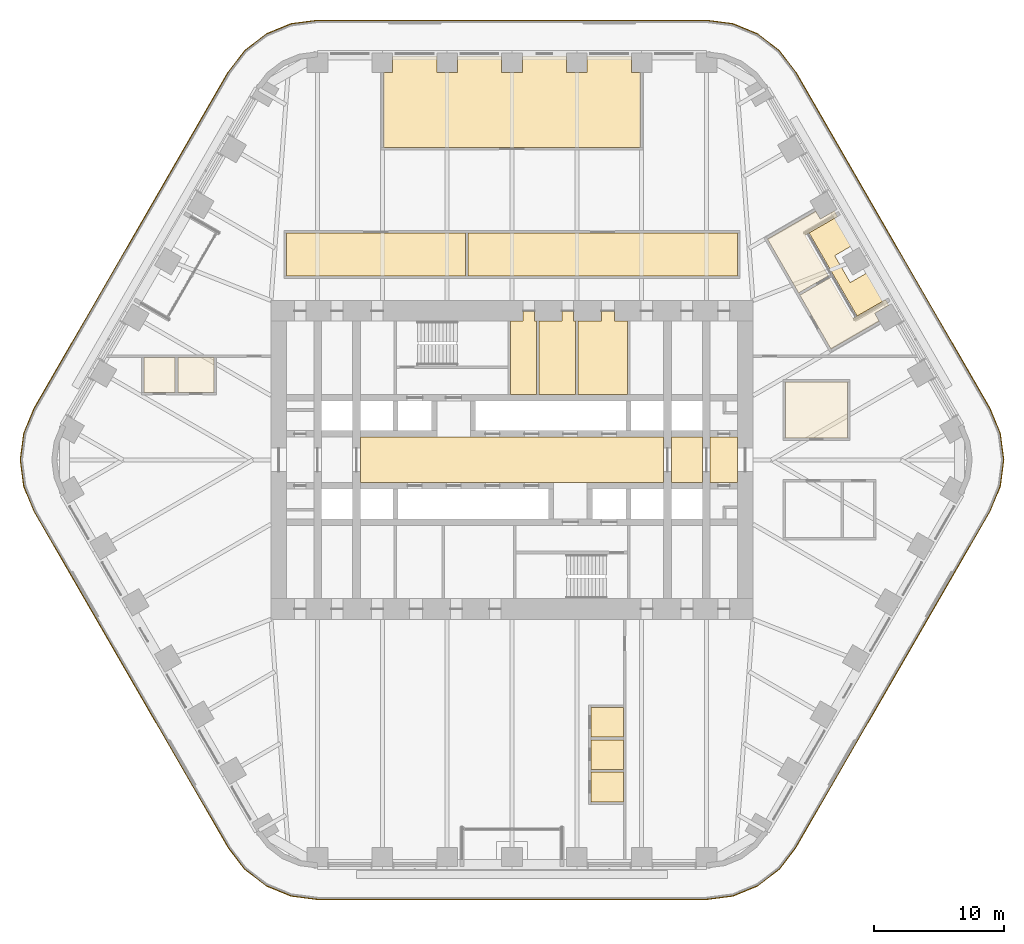
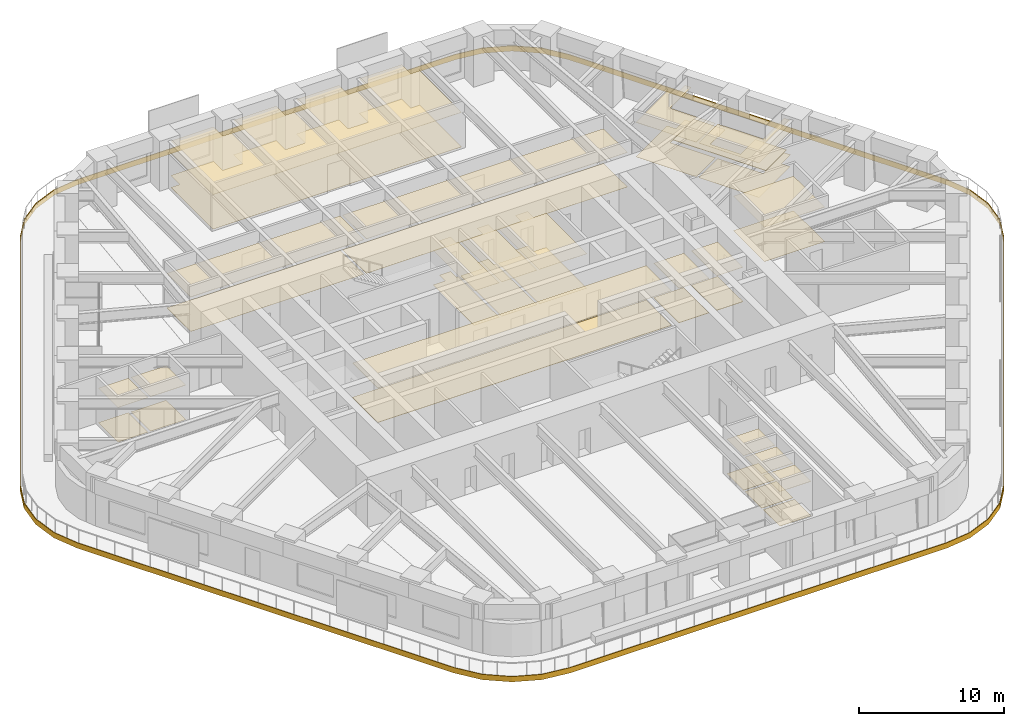
# One storey, part 23 of 24: 16 coverings.
"""IFC4 building model written with IfcOpenShell, lengths in metres."""

from ifc_helpers import new_model, si_unit, direction, frame, origin, place, context, subcontext, project, spatial, polyline, outline, extrude, material, layer, layer_set, type_object, element, save


model = new_model("IFC4")

# Units and contexts
model_context = context("Model", 3, precision=1e-05, world=origin(), true_north=direction((0.0, 1.0)))
body_context = subcontext(model_context, "Body", "Model", "MODEL_VIEW")
ifc_project = project(units=[si_unit("LENGTHUNIT", "METRE"), si_unit("AREAUNIT", "SQUARE_METRE"), si_unit("VOLUMEUNIT", "CUBIC_METRE"), si_unit("PLANEANGLEUNIT", "RADIAN"), si_unit("MASSUNIT", "GRAM", prefix="KILO")], contexts=[model_context])

# Site, building, storey
site_placement = place(None, origin())
site = spatial("IfcSite", under=ifc_project, at=site_placement, CompositionType="ELEMENT")
building_placement = place(site_placement, origin())
building = spatial("IfcBuilding", under=site, at=building_placement, Name="Tarfa Lantern Tower", CompositionType="ELEMENT")
storey_placement = place(building_placement, frame((0.0, 0.0, 144.699951171875)))
storey = spatial("IfcBuildingStorey", under=building, at=storey_placement, Name="L32", CompositionType="ELEMENT", Elevation=144.699951171875)

# Coverings
ifc_material_1 = material(Name="Mineral fibre acoustic tile on suspension grid", Category="finish")
ifc_layer_1 = layer(ifc_material_1, 0.02001953125)
ifc_layer_set_1 = layer_set([ifc_layer_1], Name="CL1 ACOUSTIC TILE CEILING 20")
covering_type_1 = type_object("IfcCoveringType", Name="CL1 ACOUSTIC TILE CEILING 20", PredefinedType="CEILING", material=ifc_layer_set_1)
covering_1_placement = place(storey_placement, frame((0.0, 0.0, 2.900146484375)))
element("IfcCovering", 1, at=covering_1_placement, inside=storey, type_object=covering_type_1, Name="Ceiling L32 CL1", PredefinedType="CEILING", context=body_context, shape_type="SweptSolid", body=[
    extrude(outline(polyline([(-17.39990234375, 17.5), (-3.60009765625, 17.5), (-3.60009765625, 14.199951171875), (-17.39990234375, 14.199951171875), (-17.39990234375, 17.5)])), origin(), (0.0, 0.0, 1.0), 0.02001953125),
    extrude(outline(polyline([(-3.39990234375, 17.5), (17.39990234375, 17.5), (17.39990234375, 14.199951171875), (-3.39990234375, 14.199951171875), (-3.39990234375, 17.5)])), origin(), (0.0, 0.0, 1.0), 0.02001953125),
    extrude(outline(polyline([(9.907470703125, 24.10009765625), (-9.907470703125, 24.10009765625), (-9.907470703125, 29.89990234375), (-9.20751953125, 29.89990234375), (-9.20751953125, 31.14990234375), (-5.8037109375, 31.14990234375), (-5.8037109375, 29.89990234375), (-4.20361328125, 29.89990234375), (-4.20361328125, 31.14990234375), (-0.800048828125, 31.14990234375), (-0.800048828125, 29.89990234375), (0.800048828125, 29.89990234375), (0.800048828125, 31.14990234375), (4.20361328125, 31.14990234375), (4.20361328125, 29.89990234375), (5.8037109375, 29.89990234375), (5.8037109375, 31.14990234375), (9.20751953125, 31.14990234375), (9.20751953125, 29.89990234375), (9.907470703125, 29.89990234375), (9.907470703125, 24.10009765625)])), origin(), (0.0, 0.0, 1.0), 0.02001953125),
    extrude(outline(polyline([(24.6220703125, 8.55322265625), (22.22021484375, 12.71337890625), (24.51513671875, 14.038330078125), (26.317138671875, 10.91748046875), (28.82861328125, 12.367431640625), (29.07861328125, 11.9345703125), (27.99609375, 11.3095703125), (28.345947265625, 10.703369140625), (24.6220703125, 8.55322265625)])), origin(), (0.0, 0.0, 1.0), 0.02001953125),
    extrude(outline(polyline([(19.718505859375, 17.046630859375), (23.4423828125, 19.19677734375), (23.792236328125, 18.590576171875), (24.874755859375, 19.215576171875), (25.124755859375, 18.782470703125), (22.61328125, 17.33251953125), (24.415283203125, 14.211669921875), (22.120361328125, 12.88671875), (19.718505859375, 17.046630859375)])), origin(), (0.0, 0.0, 1.0), 0.02001953125),
    extrude(outline(polyline([(-25.795166015625, 5.199951171875), (-25.795166015625, 7.89990234375), (-22.9951171875, 7.89990234375), (-22.9951171875, 5.199951171875), (-25.795166015625, 5.199951171875)])), origin(), (0.0, 0.0, 1.0), 0.02001953125),
    extrude(outline(polyline([(-28.39501953125, 5.199951171875), (-28.39501953125, 7.89990234375), (-25.9951171875, 7.89990234375), (-25.9951171875, 5.199951171875), (-28.39501953125, 5.199951171875)])), origin(), (0.0, 0.0, 1.0), 0.02001953125),
    extrude(outline(polyline([(6.10009765625, -21.39990234375), (6.10009765625, -19.10009765625), (8.60009765625, -19.10009765625), (8.60009765625, -21.39990234375), (6.10009765625, -21.39990234375)])), origin(), (0.0, 0.0, 1.0), 0.02001953125),
    extrude(outline(polyline([(6.10009765625, -23.89990234375), (6.10009765625, -21.60009765625), (8.60009765625, -21.60009765625), (8.60009765625, -23.89990234375), (6.10009765625, -23.89990234375)])), origin(), (0.0, 0.0, 1.0), 0.02001953125),
    extrude(outline(polyline([(6.10009765625, -26.39990234375), (6.10009765625, -24.10009765625), (8.60009765625, -24.10009765625), (8.60009765625, -26.39990234375), (6.10009765625, -26.39990234375)])), origin(), (0.0, 0.0, 1.0), 0.02001953125),
    extrude(outline(polyline([(21.10009765625, 6.0), (25.89990234375, 6.0), (25.89990234375, 1.699951171875), (21.10009765625, 1.699951171875), (21.10009765625, 6.0)])), origin(), (0.0, 0.0, 1.0), 0.02001953125),
])
ifc_material_2 = material(Name="Moisture-resistant plasterboard", Category="finish")
ifc_layer_2 = layer(ifc_material_2, 0.014892578125)
ifc_layer_set_2 = layer_set([ifc_layer_2], Name="CL2 MOISTURE-RESISTANT PLASTERBOARD CEILING 15")
covering_type_2 = type_object("IfcCoveringType", Name="CL2 MOISTURE-RESISTANT PLASTERBOARD CEILING 15", PredefinedType="CEILING", material=ifc_layer_set_2)
covering_2_placement = place(storey_placement, frame((0.0, 0.0, 2.900146484375)))
element("IfcCovering", 2, at=covering_2_placement, inside=storey, type_object=covering_type_2, Name="Ceiling L32-09", PredefinedType="CEILING", context=body_context, shape_type="SweptSolid", body=[
    extrude(outline(polyline([(0.85009765625, 10.699951171875), (-0.10009765625, 10.699951171875), (-0.10009765625, 5.050048828125), (1.89990234375, 5.050048828125), (1.89990234375, 10.699951171875), (1.75, 10.699951171875), (1.75, 11.5), (1.75, 11.5), (0.85009765625, 11.5), (0.85009765625, 10.699951171875)])), origin(), (0.0, 0.0, 1.0), 0.014892578125),
])
covering_3_placement = place(storey_placement, frame((0.0, 0.0, 2.900146484375)))
element("IfcCovering", 3, at=covering_3_placement, inside=storey, type_object=covering_type_2, Name="Ceiling L32-10", PredefinedType="CEILING", context=body_context, shape_type="SweptSolid", body=[
    extrude(outline(polyline([(2.10009765625, 5.050048828125), (4.89990234375, 5.050048828125), (4.89990234375, 10.699951171875), (4.75, 10.699951171875), (4.75, 11.5), (3.85009765625, 11.5), (3.85009765625, 10.699951171875), (2.10009765625, 10.699951171875), (2.10009765625, 5.050048828125)])), origin(), (0.0, 0.0, 1.0), 0.014892578125),
])
covering_4_placement = place(storey_placement, frame((0.0, 0.0, 2.900146484375)))
element("IfcCovering", 4, at=covering_4_placement, inside=storey, type_object=covering_type_2, Name="Ceiling L32-11", PredefinedType="CEILING", context=body_context, shape_type="SweptSolid", body=[
    extrude(outline(polyline([(5.10009765625, 5.050048828125), (8.89990234375, 5.050048828125), (8.89990234375, 10.699951171875), (7.89990234375, 10.699951171875), (7.89990234375, 11.5), (6.89990234375, 11.5), (6.89990234375, 10.699951171875), (5.10009765625, 10.699951171875), (5.10009765625, 5.050048828125)])), origin(), (0.0, 0.0, 1.0), 0.014892578125),
])
ifc_material_3 = material(Name="Powder-coated aluminium panel", Category="aluminium")
ifc_layer_3 = layer(ifc_material_3, 0.030029296875)
ifc_layer_set_3 = layer_set([ifc_layer_3], Name="CL3 METAL PANEL CEILING 30")
covering_type_3 = type_object("IfcCoveringType", Name="CL3 METAL PANEL CEILING 30", PredefinedType="CEILING", material=ifc_layer_set_3)
covering_5_placement = place(storey_placement, frame((0.0, 0.0, 2.900146484375)))
element("IfcCovering", 5, at=covering_5_placement, inside=storey, type_object=covering_type_3, Name="Ceiling L32-03", PredefinedType="CEILING", context=body_context, shape_type="SweptSolid", body=[
    extrude(outline(polyline([(-11.699951171875, -1.75), (11.699951171875, -1.75), (11.699951171875, 1.75), (-11.699951171875, 1.75), (-11.699951171875, -1.75)])), origin(), (0.0, 0.0, 1.0), 0.02978515625),
])
covering_6_placement = place(storey_placement, frame((0.0, 0.0, 2.900146484375)))
element("IfcCovering", 6, at=covering_6_placement, inside=storey, type_object=covering_type_3, Name="Ceiling L32-04", PredefinedType="CEILING", context=body_context, shape_type="SweptSolid", body=[
    extrude(outline(polyline([(12.300048828125, -1.75), (14.699951171875, -1.75), (14.699951171875, 1.75), (12.300048828125, 1.75), (12.300048828125, -1.75)])), origin(), (0.0, 0.0, 1.0), 0.02978515625),
])
covering_7_placement = place(storey_placement, frame((0.0, 0.0, 2.900146484375)))
element("IfcCovering", 7, at=covering_7_placement, inside=storey, type_object=covering_type_3, Name="Ceiling L32-05", PredefinedType="CEILING", context=body_context, shape_type="SweptSolid", body=[
    extrude(outline(polyline([(15.300048828125, -1.75), (17.39990234375, -1.75), (17.39990234375, 1.75), (15.300048828125, 1.75), (15.300048828125, -1.75)])), origin(), (0.0, 0.0, 1.0), 0.02978515625),
])
ifc_material_4 = material(Name="Nylon carpet tile", Category="finish")
ifc_layer_4 = layer(ifc_material_4, 0.010009765625)
ifc_layer_set_4 = layer_set([ifc_layer_4], Name="FL1 CARPET TILE 10")
covering_type_4 = type_object("IfcCoveringType", Name="FL1 CARPET TILE 10", PredefinedType="FLOORING", material=ifc_layer_set_4)
covering_8_placement = place(storey_placement, origin())
element("IfcCovering", 8, at=covering_8_placement, inside=storey, type_object=covering_type_4, Name="Floor finish L32 FL1", PredefinedType="FLOORING", context=body_context, shape_type="SweptSolid", body=[
    extrude(outline(polyline([(-17.39990234375, 17.5), (-3.60009765625, 17.5), (-3.60009765625, 14.199951171875), (-17.39990234375, 14.199951171875), (-17.39990234375, 17.5)])), origin(), (0.0, 0.0, 1.0), 0.010009765625),
    extrude(outline(polyline([(-3.39990234375, 17.5), (17.39990234375, 17.5), (17.39990234375, 14.199951171875), (-3.39990234375, 14.199951171875), (-3.39990234375, 17.5)])), origin(), (0.0, 0.0, 1.0), 0.010009765625),
    extrude(outline(polyline([(9.907470703125, 24.10009765625), (-9.907470703125, 24.10009765625), (-9.907470703125, 29.89990234375), (-9.20751953125, 29.89990234375), (-9.20751953125, 31.14990234375), (-5.8037109375, 31.14990234375), (-5.8037109375, 29.89990234375), (-4.20361328125, 29.89990234375), (-4.20361328125, 31.14990234375), (-0.800048828125, 31.14990234375), (-0.800048828125, 29.89990234375), (0.800048828125, 29.89990234375), (0.800048828125, 31.14990234375), (4.20361328125, 31.14990234375), (4.20361328125, 29.89990234375), (5.8037109375, 29.89990234375), (5.8037109375, 31.14990234375), (9.20751953125, 31.14990234375), (9.20751953125, 29.89990234375), (9.907470703125, 29.89990234375), (9.907470703125, 24.10009765625)])), origin(), (0.0, 0.0, 1.0), 0.010009765625),
    extrude(outline(polyline([(24.6220703125, 8.55322265625), (22.22021484375, 12.71337890625), (24.51513671875, 14.038330078125), (26.317138671875, 10.91748046875), (28.82861328125, 12.367431640625), (29.07861328125, 11.9345703125), (27.99609375, 11.3095703125), (28.345947265625, 10.703369140625), (24.6220703125, 8.55322265625)])), origin(), (0.0, 0.0, 1.0), 0.010009765625),
    extrude(outline(polyline([(19.718505859375, 17.046630859375), (23.4423828125, 19.19677734375), (23.792236328125, 18.590576171875), (24.874755859375, 19.215576171875), (25.124755859375, 18.782470703125), (22.61328125, 17.33251953125), (24.415283203125, 14.211669921875), (22.120361328125, 12.88671875), (19.718505859375, 17.046630859375)])), origin(), (0.0, 0.0, 1.0), 0.010009765625),
    extrude(outline(polyline([(-25.795166015625, 5.199951171875), (-25.795166015625, 7.89990234375), (-22.9951171875, 7.89990234375), (-22.9951171875, 5.199951171875), (-25.795166015625, 5.199951171875)])), origin(), (0.0, 0.0, 1.0), 0.010009765625),
    extrude(outline(polyline([(-28.39501953125, 5.199951171875), (-28.39501953125, 7.89990234375), (-25.9951171875, 7.89990234375), (-25.9951171875, 5.199951171875), (-28.39501953125, 5.199951171875)])), origin(), (0.0, 0.0, 1.0), 0.010009765625),
    extrude(outline(polyline([(6.10009765625, -21.39990234375), (6.10009765625, -19.10009765625), (8.60009765625, -19.10009765625), (8.60009765625, -21.39990234375), (6.10009765625, -21.39990234375)])), origin(), (0.0, 0.0, 1.0), 0.010009765625),
    extrude(outline(polyline([(6.10009765625, -23.89990234375), (6.10009765625, -21.60009765625), (8.60009765625, -21.60009765625), (8.60009765625, -23.89990234375), (6.10009765625, -23.89990234375)])), origin(), (0.0, 0.0, 1.0), 0.010009765625),
    extrude(outline(polyline([(6.10009765625, -26.39990234375), (6.10009765625, -24.10009765625), (8.60009765625, -24.10009765625), (8.60009765625, -26.39990234375), (6.10009765625, -26.39990234375)])), origin(), (0.0, 0.0, 1.0), 0.010009765625),
    extrude(outline(polyline([(21.10009765625, 6.0), (25.89990234375, 6.0), (25.89990234375, 1.699951171875), (21.10009765625, 1.699951171875), (21.10009765625, 6.0)])), origin(), (0.0, 0.0, 1.0), 0.010009765625),
])
ifc_material_5 = material(Name="Honed limestone flooring", Category="masonry")
ifc_layer_5 = layer(ifc_material_5, 0.030029296875)
ifc_layer_set_5 = layer_set([ifc_layer_5], Name="FL2 STONE FLOORING 30")
covering_type_5 = type_object("IfcCoveringType", Name="FL2 STONE FLOORING 30", PredefinedType="FLOORING", material=ifc_layer_set_5)
covering_9_placement = place(storey_placement, origin())
element("IfcCovering", 9, at=covering_9_placement, inside=storey, type_object=covering_type_5, Name="Floor finish L32-03", PredefinedType="FLOORING", context=body_context, shape_type="SweptSolid", body=[
    extrude(outline(polyline([(-11.699951171875, -1.75), (11.699951171875, -1.75), (11.699951171875, 1.75), (-11.699951171875, 1.75), (-11.699951171875, -1.75)])), origin(), (0.0, 0.0, 1.0), 0.030029296875),
])
covering_10_placement = place(storey_placement, origin())
element("IfcCovering", 10, at=covering_10_placement, inside=storey, type_object=covering_type_5, Name="Floor finish L32-04", PredefinedType="FLOORING", context=body_context, shape_type="SweptSolid", body=[
    extrude(outline(polyline([(12.300048828125, -1.75), (14.699951171875, -1.75), (14.699951171875, 1.75), (12.300048828125, 1.75), (12.300048828125, -1.75)])), origin(), (0.0, 0.0, 1.0), 0.030029296875),
])
covering_11_placement = place(storey_placement, origin())
element("IfcCovering", 11, at=covering_11_placement, inside=storey, type_object=covering_type_5, Name="Floor finish L32-05", PredefinedType="FLOORING", context=body_context, shape_type="SweptSolid", body=[
    extrude(outline(polyline([(15.300048828125, -1.75), (17.39990234375, -1.75), (17.39990234375, 1.75), (15.300048828125, 1.75), (15.300048828125, -1.75)])), origin(), (0.0, 0.0, 1.0), 0.030029296875),
])
ifc_material_6 = material(Name="Porcelain floor tile", Category="finish")
ifc_layer_6 = layer(ifc_material_6, 0.011962890625)
ifc_layer_set_6 = layer_set([ifc_layer_6], Name="FL3 CERAMIC TILE 12")
covering_type_6 = type_object("IfcCoveringType", Name="FL3 CERAMIC TILE 12", PredefinedType="FLOORING", material=ifc_layer_set_6)
covering_12_placement = place(storey_placement, origin())
element("IfcCovering", 12, at=covering_12_placement, inside=storey, type_object=covering_type_6, Name="Floor finish L32-09", PredefinedType="FLOORING", context=body_context, shape_type="SweptSolid", body=[
    extrude(outline(polyline([(0.85009765625, 10.699951171875), (-0.10009765625, 10.699951171875), (-0.10009765625, 5.050048828125), (1.89990234375, 5.050048828125), (1.89990234375, 10.699951171875), (1.75, 10.699951171875), (1.75, 11.5), (1.75, 11.5), (0.85009765625, 11.5), (0.85009765625, 10.699951171875)])), origin(), (0.0, 0.0, 1.0), 0.011962890625),
])
covering_13_placement = place(storey_placement, origin())
element("IfcCovering", 13, at=covering_13_placement, inside=storey, type_object=covering_type_6, Name="Floor finish L32-10", PredefinedType="FLOORING", context=body_context, shape_type="SweptSolid", body=[
    extrude(outline(polyline([(2.10009765625, 5.050048828125), (4.89990234375, 5.050048828125), (4.89990234375, 10.699951171875), (4.75, 10.699951171875), (4.75, 11.5), (3.85009765625, 11.5), (3.85009765625, 10.699951171875), (2.10009765625, 10.699951171875), (2.10009765625, 5.050048828125)])), origin(), (0.0, 0.0, 1.0), 0.011962890625),
])
covering_14_placement = place(storey_placement, origin())
element("IfcCovering", 14, at=covering_14_placement, inside=storey, type_object=covering_type_6, Name="Floor finish L32-11", PredefinedType="FLOORING", context=body_context, shape_type="SweptSolid", body=[
    extrude(outline(polyline([(5.10009765625, 5.050048828125), (8.89990234375, 5.050048828125), (8.89990234375, 10.699951171875), (7.89990234375, 10.699951171875), (7.89990234375, 11.5), (6.89990234375, 11.5), (6.89990234375, 10.699951171875), (5.10009765625, 10.699951171875), (5.10009765625, 5.050048828125)])), origin(), (0.0, 0.0, 1.0), 0.011962890625),
])
ifc_material_7 = material(Name="Porcelain pavers on pedestals", Category="ceramic")
ifc_layer_7 = layer(ifc_material_7, 0.0400390625)
ifc_layer_set_7 = layer_set([ifc_layer_7], Name="LP1 LOGGIA PAVING 40")
covering_type_7 = type_object("IfcCoveringType", Name="LP1 LOGGIA PAVING 40", PredefinedType="FLOORING", material=ifc_layer_set_7)
covering_15_placement = place(storey_placement, origin())
element("IfcCovering", 15, at=covering_15_placement, inside=storey, type_object=covering_type_7, Name="Loggia paving NE", PredefinedType="FLOORING", context=body_context, shape_type="SweptSolid", body=[
    extrude(outline(polyline([(29.131591796875, 12.54248046875), (26.637451171875, 11.1025390625), (22.933837890625, 17.517578125), (25.427978515625, 18.95751953125), (26.6796875, 16.789306640625), (24.904541015625, 15.76416015625), (26.1044921875, 13.685791015625), (27.8798828125, 14.710693359375), (29.131591796875, 12.54248046875)])), origin(), (0.0, 0.0, 1.0), 0.0400390625),
])
ifc_material_8 = material(Name="Limestone cladding on brackets", Category="masonry")
ifc_layer_8 = layer(ifc_material_8, 0.050048828125)
ifc_layer_set_8 = layer_set([ifc_layer_8], Name="SB1 STONE BAND CLADDING 50")
covering_type_8 = type_object("IfcCoveringType", Name="SB1 STONE BAND CLADDING 50", PredefinedType="CLADDING", material=ifc_layer_set_8)
covering_16_placement = place(storey_placement, frame((0.0, 0.0, -0.39990234375)))
element("IfcCovering", 16, at=covering_16_placement, inside=storey, type_object=covering_type_8, Name="Stone band", PredefinedType="CLADDING", context=body_context, shape_type="SweptSolid", body=[
    extrude(outline(polyline([(36.9072265625, 3.97509765625), (21.89599609375, 29.97509765625), (20.632568359375, 31.62158203125), (18.986083984375, 32.885009765625), (17.068603515625, 33.67919921875), (15.010986328125, 33.949951171875), (-15.010986328125, 33.949951171875), (-17.068603515625, 33.67919921875), (-18.986083984375, 32.885009765625), (-20.632568359375, 31.62158203125), (-21.89599609375, 29.97509765625), (-36.9072265625, 3.97509765625), (-37.701416015625, 2.0576171875), (-37.97216796875, 0.0), (-37.701416015625, -2.0576171875), (-36.9072265625, -3.97509765625), (-21.89599609375, -29.97509765625), (-20.632568359375, -31.62158203125), (-18.986083984375, -32.885009765625), (-17.068603515625, -33.67919921875), (-15.010986328125, -33.949951171875), (15.010986328125, -33.949951171875), (17.068603515625, -33.67919921875), (18.986083984375, -32.885009765625), (20.632568359375, -31.62158203125), (21.89599609375, -29.97509765625), (36.9072265625, -3.97509765625), (37.701416015625, -2.0576171875), (37.97216796875, 0.0), (37.701416015625, 2.0576171875), (36.9072265625, 3.97509765625)]), holes=[polyline([(36.86376953125, 3.949951171875), (21.852783203125, 29.949951171875), (20.59716796875, 31.586181640625), (18.961181640625, 32.841552734375), (17.0556640625, 33.630859375), (15.010986328125, 33.89990234375), (-15.010986328125, 33.89990234375), (-17.0556640625, 33.630859375), (-18.961181640625, 32.841552734375), (-20.59716796875, 31.586181640625), (-21.852783203125, 29.949951171875), (-36.86376953125, 3.949951171875), (-37.653076171875, 2.044677734375), (-37.922119140625, 0.0), (-37.653076171875, -2.044677734375), (-36.86376953125, -3.949951171875), (-21.852783203125, -29.949951171875), (-20.59716796875, -31.586181640625), (-18.961181640625, -32.841552734375), (-17.0556640625, -33.630859375), (-15.010986328125, -33.89990234375), (15.010986328125, -33.89990234375), (17.0556640625, -33.630859375), (18.961181640625, -32.841552734375), (20.59716796875, -31.586181640625), (21.852783203125, -29.949951171875), (36.86376953125, -3.949951171875), (37.653076171875, -2.044677734375), (37.922119140625, 0.0), (37.653076171875, 2.044677734375), (36.86376953125, 3.949951171875)])]), origin(), (0.0, 0.0, 1.0), 0.449951171875),
])

save(model, "model.ifc")
